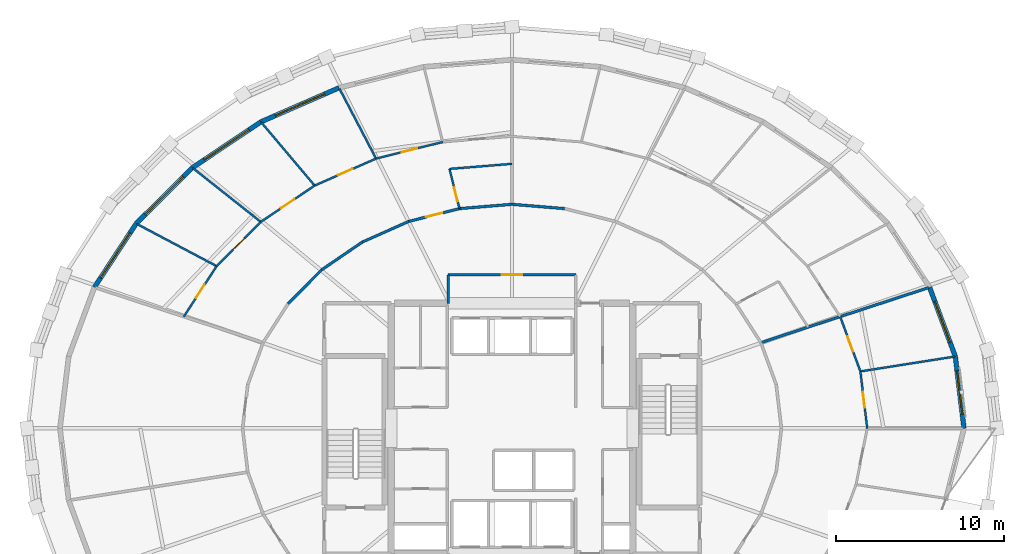
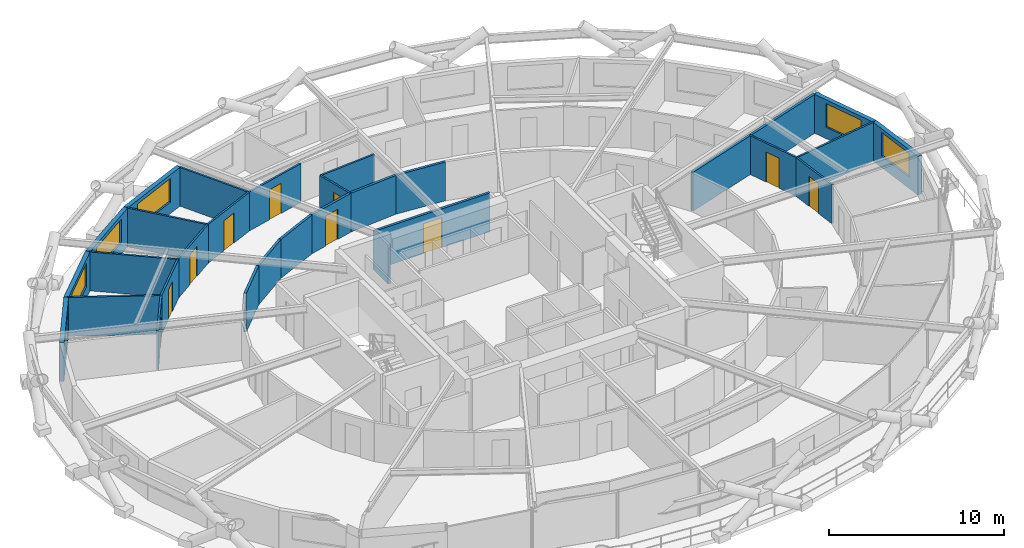
# One storey, part 18 of 23: 29 walls, 10 doors, 6 windows, 16 openings.
"""IFC4 building model written with IfcOpenShell, lengths in metres."""

from ifc_helpers import new_model, si_unit, direction, frame, frame_2d, origin, place, context, subcontext, project, spatial, rectangle, extrude, material, layer, layer_set, type_object, element, fill, save


model = new_model("IFC4")

# Units and contexts
model_context = context("Model", 3, precision=1e-05, world=origin(), true_north=direction((0.0, 1.0)))
body_context = subcontext(model_context, "Body", "Model", "MODEL_VIEW")
ifc_project = project(units=[si_unit("LENGTHUNIT", "METRE"), si_unit("AREAUNIT", "SQUARE_METRE"), si_unit("VOLUMEUNIT", "CUBIC_METRE"), si_unit("PLANEANGLEUNIT", "RADIAN"), si_unit("MASSUNIT", "GRAM", prefix="KILO")], contexts=[model_context])

# Site, building, storey
site_placement = place(None, origin())
site = spatial("IfcSite", under=ifc_project, at=site_placement, CompositionType="ELEMENT")
building_placement = place(site_placement, origin())
building = spatial("IfcBuilding", under=site, at=building_placement, Name="Veldorina Hangang Commons", CompositionType="ELEMENT")
storey_placement = place(building_placement, frame((0.0, 0.0, 95.199951171875)))
storey = spatial("IfcBuildingStorey", under=building, at=storey_placement, Name="L24", CompositionType="ELEMENT", Elevation=95.199951171875)

# Wall, opening, window
ifc_material_1 = material(Name="Stone Roman Travertine", Category="masonry")
ifc_layer_1 = layer(ifc_material_1, 0.280029296875)
ifc_layer_set_1 = layer_set([ifc_layer_1], Name="Stone Roman Travertine")
wall_type_1 = type_object("IfcWallType", Name="EW-TRAV-280", PredefinedType="STANDARD", material=ifc_layer_set_1)
wall_1_placement = place(storey_placement, frame((58.92919921875, 24.0, 0.0), z_axis=(0.0, 0.0, 1.0), x_axis=(-0.119925904923, 0.992782845001, 0.0)))
wall_1 = element("IfcWall", 1, at=wall_1_placement, inside=storey, type_object=wall_type_1, Name="L24 travertine facade wall 00", PredefinedType="STANDARD", context=body_context, shape_type="SweptSolid", body=[
    extrude(rectangle(XDim=4.31591796875, YDim=0.280029296875, at=frame_2d((2.157958984375, 0.0))), origin(), (0.0, 0.0, 1.0), 2.7099609375),
])
opening_1_placement = place(wall_1_placement, frame((0.85791015625, 0.0, 0.800048828125)))
opening_1 = element("IfcOpeningElement", 2, at=opening_1_placement, cuts=wall_1, Name="Opening W-02", PredefinedType="OPENING", context=body_context, shape_type="SweptSolid", body=[
    extrude(rectangle(XDim=2.60009765625, YDim=1.64990234375, at=frame_2d((1.300048828125, 0.824951171875))), frame((0.0, 0.14990234375, 0.0), z_axis=(0.0, -1.0, 0.0), x_axis=(1.0, 0.0, 0.0)), (0.0, 0.0, 1.0), 0.300048828125),
])
ifc_material_2 = material(Name="Glass Low-E Triple IGU", Category="glass")
window_type_1 = type_object("IfcWindowType", Name="WIN-TWR-2600", PartitioningType="SINGLE_PANEL", PredefinedType="WINDOW", material=ifc_material_2)
window_1_placement = place(opening_1_placement, origin())
window_1 = element("IfcWindow", 3, at=window_1_placement, inside=storey, type_object=window_type_1, Name="L24 facade window 00", OverallHeight=1.64990234375, OverallWidth=2.60009765625, PartitioningType="SINGLE_PANEL", PredefinedType="WINDOW", context=body_context, shape_type="SweptSolid", body=[
    extrude(rectangle(XDim=2.60009765625, YDim=1.64990234375, at=frame_2d((1.300048828125, 0.824951171875))), frame((0.0, 0.030029296875, 0.0), z_axis=(0.0, -1.0, 0.0), x_axis=(1.0, 0.0, 0.0)), (0.0, 0.0, 1.0), 0.06005859375),
])
fill(opening_1, window_1)

wall_2_placement = place(storey_placement, frame((58.41162109375, 28.28466796875, 0.0), z_axis=(0.0, 0.0, 1.0), x_axis=(-0.348632733014, 0.937259418449, 0.0)))
wall_2 = element("IfcWall", 4, at=wall_2_placement, inside=storey, type_object=wall_type_1, Name="L24 travertine facade wall 01", PredefinedType="STANDARD", context=body_context, shape_type="SweptSolid", body=[
    extrude(rectangle(XDim=4.395751953125, YDim=0.280029296875, at=frame_2d((2.19775390625, 0.0))), origin(), (0.0, 0.0, 1.0), 2.7099609375),
])
opening_2_placement = place(wall_2_placement, frame((0.897705078125, 0.0, 0.800048828125)))
opening_2 = element("IfcOpeningElement", 5, at=opening_2_placement, cuts=wall_2, Name="Opening W-02", PredefinedType="OPENING", context=body_context, shape_type="SweptSolid", body=[
    extrude(rectangle(XDim=2.60009765625, YDim=1.64990234375, at=frame_2d((1.300048828125, 0.824951171875))), frame((0.0, 0.14990234375, 0.0), z_axis=(0.0, -1.0, 0.0), x_axis=(1.0, 0.0, 0.0)), (0.0, 0.0, 1.0), 0.300048828125),
])
window_2_placement = place(opening_2_placement, origin())
window_2 = element("IfcWindow", 6, at=window_2_placement, inside=storey, type_object=window_type_1, Name="L24 facade window 01", OverallHeight=1.64990234375, OverallWidth=2.60009765625, PartitioningType="SINGLE_PANEL", PredefinedType="WINDOW", context=body_context, shape_type="SweptSolid", body=[
    extrude(rectangle(XDim=2.60009765625, YDim=1.64990234375, at=frame_2d((1.300048828125, 0.824951171875))), frame((0.0, 0.030029296875, 0.0), z_axis=(0.0, -1.0, 0.0), x_axis=(1.0, 0.0, 0.0)), (0.0, 0.0, 1.0), 0.06005859375),
])
fill(opening_2, window_2)

wall_3_placement = place(storey_placement, frame((21.694580078125, 44.29052734375, 0.0), z_axis=(0.0, 0.0, 1.0), x_axis=(-0.916680612936, -0.39962063744, 0.0)))
wall_3 = element("IfcWall", 7, at=wall_3_placement, inside=storey, type_object=wall_type_1, Name="L24 travertine facade wall 10", PredefinedType="STANDARD", context=body_context, shape_type="SweptSolid", body=[
    extrude(rectangle(XDim=5.07861328125, YDim=0.280029296875, at=frame_2d((2.539306640625, 0.0))), origin(), (0.0, 0.0, 1.0), 2.7099609375),
])
opening_3_placement = place(wall_3_placement, frame((0.939453125, 0.0, 0.800048828125)))
opening_3 = element("IfcOpeningElement", 8, at=opening_3_placement, cuts=wall_3, Name="Opening W-01", PredefinedType="OPENING", context=body_context, shape_type="SweptSolid", body=[
    extrude(rectangle(XDim=3.199951171875, YDim=1.64990234375, at=frame_2d((1.60009765625, 0.824951171875))), frame((0.0, 0.14990234375, 0.0), z_axis=(0.0, -1.0, 0.0), x_axis=(1.0, 0.0, 0.0)), (0.0, 0.0, 1.0), 0.300048828125),
])
window_type_2 = type_object("IfcWindowType", Name="WIN-TWR-3200", PartitioningType="SINGLE_PANEL", PredefinedType="WINDOW", material=ifc_material_2)
window_3_placement = place(opening_3_placement, origin())
window_3 = element("IfcWindow", 9, at=window_3_placement, inside=storey, type_object=window_type_2, Name="L24 facade window 10", OverallHeight=1.64990234375, OverallWidth=3.199951171875, PartitioningType="SINGLE_PANEL", PredefinedType="WINDOW", context=body_context, shape_type="SweptSolid", body=[
    extrude(rectangle(XDim=3.199951171875, YDim=1.64990234375, at=frame_2d((1.60009765625, 0.824951171875))), frame((0.0, 0.030029296875, 0.0), z_axis=(0.0, -1.0, 0.0), x_axis=(1.0, 0.0, 0.0)), (0.0, 0.0, 1.0), 0.06005859375),
])
fill(opening_3, window_3)

wall_4_placement = place(storey_placement, frame((17.0390625, 42.260986328125, 0.0), z_axis=(0.0, 0.0, 1.0), x_axis=(-0.831046915145, -0.556202323645, 0.0)))
wall_4 = element("IfcWall", 10, at=wall_4_placement, inside=storey, type_object=wall_type_1, Name="L24 travertine facade wall 11", PredefinedType="STANDARD", context=body_context, shape_type="SweptSolid", body=[
    extrude(rectangle(XDim=4.910400390625, YDim=0.280029296875, at=frame_2d((2.455078125, 0.0))), origin(), (0.0, 0.0, 1.0), 2.7099609375),
])
opening_4_placement = place(wall_4_placement, frame((0.855224609375, 0.0, 0.800048828125)))
opening_4 = element("IfcOpeningElement", 11, at=opening_4_placement, cuts=wall_4, Name="Opening W-01", PredefinedType="OPENING", context=body_context, shape_type="SweptSolid", body=[
    extrude(rectangle(XDim=3.199951171875, YDim=1.64990234375, at=frame_2d((1.60009765625, 0.824951171875))), frame((0.0, 0.14990234375, 0.0), z_axis=(0.0, -1.0, 0.0), x_axis=(1.0, 0.0, 0.0)), (0.0, 0.0, 1.0), 0.300048828125),
])
window_4_placement = place(opening_4_placement, origin())
window_4 = element("IfcWindow", 12, at=window_4_placement, inside=storey, type_object=window_type_2, Name="L24 facade window 11", OverallHeight=1.64990234375, OverallWidth=3.199951171875, PartitioningType="SINGLE_PANEL", PredefinedType="WINDOW", context=body_context, shape_type="SweptSolid", body=[
    extrude(rectangle(XDim=3.199951171875, YDim=1.64990234375, at=frame_2d((1.60009765625, 0.824951171875))), frame((0.0, 0.030029296875, 0.0), z_axis=(0.0, -1.0, 0.0), x_axis=(1.0, 0.0, 0.0)), (0.0, 0.0, 1.0), 0.06005859375),
])
fill(opening_4, window_4)

wall_5_placement = place(storey_placement, frame((12.958251953125, 39.52978515625, 0.0), z_axis=(0.0, 0.0, 1.0), x_axis=(-0.70930102543, -0.70490570669, 0.0)))
wall_5 = element("IfcWall", 13, at=wall_5_placement, inside=storey, type_object=wall_type_1, Name="L24 travertine facade wall 12", PredefinedType="STANDARD", context=body_context, shape_type="SweptSolid", body=[
    extrude(rectangle(XDim=4.721435546875, YDim=0.280029296875, at=frame_2d((2.36083984375, 0.0))), origin(), (0.0, 0.0, 1.0), 2.7099609375),
])
opening_5_placement = place(wall_5_placement, frame((0.7607421875, 0.0, 0.800048828125)))
opening_5 = element("IfcOpeningElement", 14, at=opening_5_placement, cuts=wall_5, Name="Opening W-01", PredefinedType="OPENING", context=body_context, shape_type="SweptSolid", body=[
    extrude(rectangle(XDim=3.199951171875, YDim=1.64990234375, at=frame_2d((1.60009765625, 0.824951171875))), frame((0.0, 0.14990234375, 0.0), z_axis=(0.0, -1.0, 0.0), x_axis=(1.0, 0.0, 0.0)), (0.0, 0.0, 1.0), 0.300048828125),
])
window_5_placement = place(opening_5_placement, origin())
window_5 = element("IfcWindow", 15, at=window_5_placement, inside=storey, type_object=window_type_2, Name="L24 facade window 12", OverallHeight=1.64990234375, OverallWidth=3.199951171875, PartitioningType="SINGLE_PANEL", PredefinedType="WINDOW", context=body_context, shape_type="SweptSolid", body=[
    extrude(rectangle(XDim=3.199951171875, YDim=1.64990234375, at=frame_2d((1.60009765625, 0.824951171875))), frame((0.0, 0.030029296875, 0.0), z_axis=(0.0, -1.0, 0.0), x_axis=(1.0, 0.0, 0.0)), (0.0, 0.0, 1.0), 0.06005859375),
])
fill(opening_5, window_5)

wall_6_placement = place(storey_placement, frame((9.609375, 36.20166015625, 0.0), z_axis=(0.0, 0.0, 1.0), x_axis=(-0.548143021063, -0.836384617541, 0.0)))
wall_6 = element("IfcWall", 16, at=wall_6_placement, inside=storey, type_object=wall_type_1, Name="L24 travertine facade wall 13", PredefinedType="STANDARD", context=body_context, shape_type="SweptSolid", body=[
    extrude(rectangle(XDim=4.5400390625, YDim=0.280029296875, at=frame_2d((2.27001953125, 0.0))), origin(), (0.0, 0.0, 1.0), 2.7099609375),
])
opening_6_placement = place(wall_6_placement, frame((0.669921875, 0.0, 0.800048828125)))
opening_6 = element("IfcOpeningElement", 17, at=opening_6_placement, cuts=wall_6, Name="Opening W-01", PredefinedType="OPENING", context=body_context, shape_type="SweptSolid", body=[
    extrude(rectangle(XDim=3.199951171875, YDim=1.64990234375, at=frame_2d((1.60009765625, 0.824951171875))), frame((0.0, 0.14990234375, 0.0), z_axis=(0.0, -1.0, 0.0), x_axis=(1.0, 0.0, 0.0)), (0.0, 0.0, 1.0), 0.300048828125),
])
window_6_placement = place(opening_6_placement, origin())
window_6 = element("IfcWindow", 18, at=window_6_placement, inside=storey, type_object=window_type_2, Name="L24 facade window 13", OverallHeight=1.64990234375, OverallWidth=3.199951171875, PartitioningType="SINGLE_PANEL", PredefinedType="WINDOW", context=body_context, shape_type="SweptSolid", body=[
    extrude(rectangle(XDim=3.199951171875, YDim=1.64990234375, at=frame_2d((1.60009765625, 0.824951171875))), frame((0.0, 0.030029296875, 0.0), z_axis=(0.0, -1.0, 0.0), x_axis=(1.0, 0.0, 0.0)), (0.0, 0.0, 1.0), 0.06005859375),
])
fill(opening_6, window_6)

# Wall
ifc_material_3 = material(Name="Gypsum Fire-Rated Twin Stud Wall", Category="gypsum")
ifc_layer_2 = layer(ifc_material_3, 0.159912109375)
ifc_layer_set_2 = layer_set([ifc_layer_2], Name="Gypsum Fire-Rated Twin Stud Wall")
wall_type_2 = type_object("IfcWallType", Name="WL-FIRE-160", PredefinedType="SOLIDWALL", material=ifc_layer_set_2)
wall_7_placement = place(storey_placement, frame((28.199951171875, 31.449951171875, 0.0), z_axis=(0.0, 0.0, 1.0), x_axis=(0.0, 1.0, 0.0)))
element("IfcWall", 19, at=wall_7_placement, inside=storey, type_object=wall_type_2, Name="L24 North lobby west wall 032", PredefinedType="SOLIDWALL", context=body_context, shape_type="SweptSolid", body=[
    extrude(rectangle(XDim=1.699951171875, YDim=0.159912109375, at=frame_2d((0.85009765625, 0.0))), origin(), (0.0, 0.0, 1.0), 2.7099609375),
])

# Wall, opening, door
wall_8_placement = place(storey_placement, frame((28.199951171875, 33.14990234375, 0.0), z_axis=(0.0, 0.0, 1.0), x_axis=(1.0, 0.0, 0.0)))
wall_8 = element("IfcWall", 20, at=wall_8_placement, inside=storey, type_object=wall_type_2, Name="L24 North lobby north wall 034", PredefinedType="SOLIDWALL", context=body_context, shape_type="SweptSolid", body=[
    extrude(rectangle(XDim=7.60009765625, YDim=0.159912109375, at=frame_2d((3.800048828125, 0.0))), origin(), (0.0, 0.0, 1.0), 2.7099609375),
])
opening_7_placement = place(wall_8_placement, frame((3.199951171875, 0.0, 0.0)))
opening_7 = element("IfcOpeningElement", 21, at=opening_7_placement, cuts=wall_8, Name="Opening D-09", PredefinedType="OPENING", context=body_context, shape_type="SweptSolid", body=[
    extrude(rectangle(XDim=1.199951171875, YDim=2.10009765625, at=frame_2d((0.60009765625, 1.050048828125))), frame((0.0, 0.08984375, 0.0), z_axis=(0.0, -1.0, 0.0), x_axis=(1.0, 0.0, 0.0)), (0.0, 0.0, 1.0), 0.179931640625),
])
ifc_material_4 = material(Name="Steel Fire-Rated Corridor Door", Category="steel")
door_type_1 = type_object("IfcDoorType", Name="DR-FIRE-1200", OperationType="SINGLE_SWING_LEFT", PredefinedType="DOOR", material=ifc_material_4)
door_1_placement = place(opening_7_placement, origin())
door_1 = element("IfcDoor", 22, at=door_1_placement, inside=storey, type_object=door_type_1, Name="L24 North lift lobby corridor door 012", OperationType="SINGLE_SWING_RIGHT", OverallHeight=2.10009765625, OverallWidth=1.199951171875, PredefinedType="DOOR", context=body_context, shape_type="SweptSolid", body=[
    extrude(rectangle(XDim=1.199951171875, YDim=2.10009765625, at=frame_2d((0.60009765625, 1.050048828125))), frame((0.0, 0.02490234375, 0.0), z_axis=(0.0, -1.0, 0.0), x_axis=(1.0, 0.0, 0.0)), (0.0, 0.0, 1.0), 0.050048828125),
])
fill(opening_7, door_1)

# Walls
for number, where, z_axis, x_axis, name in (
    (23, (35.131103515625, 37.093505859375, 0.0), (0.0, 0.0, 1.0), (-0.996658973252, 0.081675522876, 0.0), "L24 Corridor outer wall 07 055"),
    (24, (32.0, 37.35009765625, 0.0), (0.0, 0.0, 1.0), (-0.996658973252, -0.081675522876, 0.0), "L24 Corridor outer wall 08 056"),
):
    element("IfcWall", number, at=place(storey_placement, frame(where, z_axis=z_axis, x_axis=x_axis)), inside=storey, type_object=wall_type_2, Name=name, PredefinedType="SOLIDWALL", context=body_context, shape_type="SweptSolid", body=[
        extrude(rectangle(XDim=3.1416015625, YDim=0.159912109375, at=frame_2d((1.57080078125, 0.0))), origin(), (0.0, 0.0, 1.0), 2.7099609375),
    ])

# Wall, opening, door
wall_9_placement = place(storey_placement, frame((28.868896484375, 37.093505859375, 0.0), z_axis=(0.0, 0.0, 1.0), x_axis=(-0.969608333194, -0.244662380029, 0.0)))
wall_9 = element("IfcWall", 25, at=wall_9_placement, inside=storey, type_object=wall_type_2, Name="L24 Corridor outer wall 09 057", PredefinedType="SOLIDWALL", context=body_context, shape_type="SweptSolid", body=[
    extrude(rectangle(XDim=3.10546875, YDim=0.159912109375, at=frame_2d((1.552734375, 0.0))), origin(), (0.0, 0.0, 1.0), 2.7099609375),
])
opening_8_placement = place(wall_9_placement, frame((1.052734375, 0.0, 0.0)))
opening_8 = element("IfcOpeningElement", 26, at=opening_8_placement, cuts=wall_9, Name="Opening D-06", PredefinedType="OPENING", context=body_context, shape_type="SweptSolid", body=[
    extrude(rectangle(XDim=1.0, YDim=2.10009765625, at=frame_2d((0.5, 1.050048828125))), frame((0.0, 0.08984375, 0.0), z_axis=(0.0, -1.0, 0.0), x_axis=(1.0, 0.0, 0.0)), (0.0, 0.0, 1.0), 0.179931640625),
])
ifc_material_5 = material(Name="Timber Fire-Rated Entrance Core", Category="wood")
door_type_2 = type_object("IfcDoorType", Name="DR-UNIT-1000", OperationType="SINGLE_SWING_LEFT", PredefinedType="DOOR", material=ifc_material_5)
door_2_placement = place(opening_8_placement, origin())
door_2 = element("IfcDoor", 27, at=door_2_placement, inside=storey, type_object=door_type_2, Name="L24 Cluster 4 entrance door 039", OperationType="SINGLE_SWING_LEFT", OverallHeight=2.10009765625, OverallWidth=1.0, PredefinedType="DOOR", context=body_context, shape_type="SweptSolid", body=[
    extrude(rectangle(XDim=1.0, YDim=2.10009765625, at=frame_2d((0.5, 1.050048828125))), frame((0.0, 0.02490234375, 0.0), z_axis=(0.0, -1.0, 0.0), x_axis=(1.0, 0.0, 0.0)), (0.0, 0.0, 1.0), 0.050048828125),
])
fill(opening_8, door_2)

# Walls
wall_10_placement = place(storey_placement, frame((25.85791015625, 36.333740234375, 0.0), z_axis=(0.0, 0.0, 1.0), x_axis=(-0.913768445178, -0.406235434936, 0.0)))
element("IfcWall", 28, at=wall_10_placement, inside=storey, type_object=wall_type_2, Name="L24 Corridor outer wall 10 058", PredefinedType="SOLIDWALL", context=body_context, shape_type="SweptSolid", body=[
    extrude(rectangle(XDim=3.036865234375, YDim=0.159912109375, at=frame_2d((1.5185546875, 0.0))), origin(), (0.0, 0.0, 1.0), 2.7099609375),
])
wall_11_placement = place(storey_placement, frame((23.0830078125, 35.10009765625, 0.0), z_axis=(0.0, 0.0, 1.0), x_axis=(-0.825929039072, -0.563774088104, 0.0)))
element("IfcWall", 29, at=wall_11_placement, inside=storey, type_object=wall_type_2, Name="L24 Corridor outer wall 11 059", PredefinedType="SOLIDWALL", context=body_context, shape_type="SweptSolid", body=[
    extrude(rectangle(XDim=2.94482421875, YDim=0.159912109375, at=frame_2d((1.472412109375, 0.0))), origin(), (0.0, 0.0, 1.0), 2.7099609375),
])
wall_12_placement = place(storey_placement, frame((20.65087890625, 33.43994140625, 0.0), z_axis=(0.0, 0.0, 1.0), x_axis=(-0.702366174226, -0.711815816981, 0.0)))
element("IfcWall", 30, at=wall_12_placement, inside=storey, type_object=wall_type_2, Name="L24 Corridor outer wall 12 060", PredefinedType="SOLIDWALL", context=body_context, shape_type="SweptSolid", body=[
    extrude(rectangle(XDim=2.842041015625, YDim=0.159912109375, at=frame_2d((1.4208984375, 0.0))), origin(), (0.0, 0.0, 1.0), 2.7099609375),
])
wall_13_placement = place(storey_placement, frame((46.828369140625, 29.10888671875, 0.0), z_axis=(0.0, 0.0, 1.0), x_axis=(0.950223350547, 0.311569549339, 0.0)))
element("IfcWall", 31, at=wall_13_placement, inside=storey, type_object=wall_type_2, Name="L24 Unit party wall 02 099", PredefinedType="SOLIDWALL", context=body_context, shape_type="SweptSolid", body=[
    extrude(rectangle(XDim=10.52734375, YDim=0.159912109375, at=frame_2d((5.263671875, 0.0))), origin(), (0.0, 0.0, 1.0), 2.7099609375),
])

# Wall, opening, door
ifc_material_6 = material(Name="Gypsum Acoustic Stud Partition", Category="gypsum")
ifc_layer_3 = layer(ifc_material_6, 0.1201171875)
ifc_layer_set_3 = layer_set([ifc_layer_3], Name="Gypsum Acoustic Stud Partition")
wall_type_3 = type_object("IfcWallType", Name="WL-PART-120", PredefinedType="PARTITIONING", material=ifc_layer_set_3)
wall_14_placement = place(storey_placement, frame((53.1630859375, 24.0, 0.0), z_axis=(0.0, 0.0, 1.0), x_axis=(-0.118908663781, 0.992905196722, 0.0)))
wall_14 = element("IfcWall", 32, at=wall_14_placement, inside=storey, type_object=wall_type_3, Name="L24 Cluster 2 bed 5 front wall 095", PredefinedType="PARTITIONING", context=body_context, shape_type="SweptSolid", body=[
    extrude(rectangle(XDim=3.41845703125, YDim=0.1201171875, at=frame_2d((1.709228515625, 0.0))), origin(), (0.0, 0.0, 1.0), 2.7099609375),
])
opening_9_placement = place(wall_14_placement, frame((1.234130859375, 0.0, 0.0)))
opening_9 = element("IfcOpeningElement", 33, at=opening_9_placement, cuts=wall_14, Name="Opening D-02", PredefinedType="OPENING", context=body_context, shape_type="SweptSolid", body=[
    extrude(rectangle(XDim=0.949951171875, YDim=2.10009765625, at=frame_2d((0.47509765625, 1.050048828125))), frame((0.0, 0.070068359375, 0.0), z_axis=(0.0, -1.0, 0.0), x_axis=(1.0, 0.0, 0.0)), (0.0, 0.0, 1.0), 0.14013671875),
])
ifc_material_7 = material(Name="Timber Solid Core Acoustic", Category="wood")
door_type_3 = type_object("IfcDoorType", Name="DR-INT-950", OperationType="SINGLE_SWING_LEFT", PredefinedType="DOOR", material=ifc_material_7)
door_3_placement = place(opening_9_placement, origin())
door_3 = element("IfcDoor", 34, at=door_3_placement, inside=storey, type_object=door_type_3, Name="L24 Cluster 2 bed 5 door 028", OperationType="SINGLE_SWING_RIGHT", OverallHeight=2.10009765625, OverallWidth=0.949951171875, PredefinedType="DOOR", context=body_context, shape_type="SweptSolid", body=[
    extrude(rectangle(XDim=0.949951171875, YDim=2.10009765625, at=frame_2d((0.47509765625, 1.050048828125))), frame((0.0, 0.02490234375, 0.0), z_axis=(0.0, -1.0, 0.0), x_axis=(1.0, 0.0, 0.0)), (0.0, 0.0, 1.0), 0.050048828125),
])
fill(opening_9, door_3)

wall_15_placement = place(storey_placement, frame((52.756591796875, 27.394287109375, 0.0), z_axis=(0.0, 0.0, 1.0), x_axis=(-0.346219193067, 0.93815364965, 0.0)))
wall_15 = element("IfcWall", 35, at=wall_15_placement, inside=storey, type_object=wall_type_3, Name="L24 Cluster 2 bed 6 front wall 097", PredefinedType="PARTITIONING", context=body_context, shape_type="SweptSolid", body=[
    extrude(rectangle(XDim=3.478515625, YDim=0.1201171875, at=frame_2d((1.7392578125, 0.0))), origin(), (0.0, 0.0, 1.0), 2.7099609375),
])
opening_10_placement = place(wall_15_placement, frame((1.264404296875, 0.0, 0.0)))
opening_10 = element("IfcOpeningElement", 36, at=opening_10_placement, cuts=wall_15, Name="Opening D-02", PredefinedType="OPENING", context=body_context, shape_type="SweptSolid", body=[
    extrude(rectangle(XDim=0.949951171875, YDim=2.10009765625, at=frame_2d((0.47509765625, 1.050048828125))), frame((0.0, 0.070068359375, 0.0), z_axis=(0.0, -1.0, 0.0), x_axis=(1.0, 0.0, 0.0)), (0.0, 0.0, 1.0), 0.14013671875),
])
door_4_placement = place(opening_10_placement, origin())
door_4 = element("IfcDoor", 37, at=door_4_placement, inside=storey, type_object=door_type_3, Name="L24 Cluster 2 bed 6 door 029", OperationType="SINGLE_SWING_LEFT", OverallHeight=2.10009765625, OverallWidth=0.949951171875, PredefinedType="DOOR", context=body_context, shape_type="SweptSolid", body=[
    extrude(rectangle(XDim=0.949951171875, YDim=2.10009765625, at=frame_2d((0.47509765625, 1.050048828125))), frame((0.0, 0.02490234375, 0.0), z_axis=(0.0, -1.0, 0.0), x_axis=(1.0, 0.0, 0.0)), (0.0, 0.0, 1.0), 0.050048828125),
])
fill(opening_10, door_4)

# Walls
wall_16_placement = place(storey_placement, frame((52.756591796875, 27.394287109375, 0.0), z_axis=(0.0, 0.0, 1.0), x_axis=(0.987831936488, 0.155525127407, 0.0)))
element("IfcWall", 38, at=wall_16_placement, inside=storey, type_object=wall_type_3, Name="L24 Cluster 2 bed divider 5 098", PredefinedType="PARTITIONING", context=body_context, shape_type="SweptSolid", body=[
    extrude(rectangle(XDim=5.6748046875, YDim=0.1201171875, at=frame_2d((2.83740234375, 0.0))), origin(), (0.0, 0.0, 1.0), 2.7099609375),
])
wall_17_placement = place(storey_placement, frame((32.0, 39.761474609375, 0.0), z_axis=(0.0, 0.0, 1.0), x_axis=(-0.996709538361, -0.081056129561, 0.0)))
element("IfcWall", 39, at=wall_17_placement, inside=storey, type_object=wall_type_3, Name="L24 Cluster 4 bath front wall 114", PredefinedType="PARTITIONING", context=body_context, shape_type="SweptSolid", body=[
    extrude(rectangle(XDim=3.73779296875, YDim=0.1201171875, at=frame_2d((1.868896484375, 0.0))), origin(), (0.0, 0.0, 1.0), 2.7099609375),
])

# Wall, opening, door
wall_18_placement = place(storey_placement, frame((28.868896484375, 37.093505859375, 0.0), z_axis=(0.0, 0.0, 1.0), x_axis=(-0.243783937168, 0.969829568522, 0.0)))
wall_18 = element("IfcWall", 40, at=wall_18_placement, inside=storey, type_object=wall_type_3, Name="L24 Cluster 4 bath side wall 115", PredefinedType="PARTITIONING", context=body_context, shape_type="SweptSolid", body=[
    extrude(rectangle(XDim=2.4384765625, YDim=0.1201171875, at=frame_2d((1.21923828125, 0.0))), origin(), (0.0, 0.0, 1.0), 2.7099609375),
])
opening_11_placement = place(wall_18_placement, frame((0.43994140625, 0.0, 0.0)))
opening_11 = element("IfcOpeningElement", 41, at=opening_11_placement, cuts=wall_18, Name="Opening D-01", PredefinedType="OPENING", context=body_context, shape_type="SweptSolid", body=[
    extrude(rectangle(XDim=0.860107421875, YDim=2.10009765625, at=frame_2d((0.43017578125, 1.050048828125))), frame((0.0, 0.070068359375, 0.0), z_axis=(0.0, -1.0, 0.0), x_axis=(1.0, 0.0, 0.0)), (0.0, 0.0, 1.0), 0.14013671875),
])
ifc_material_8 = material(Name="Timber Moisture-Resistant Core", Category="wood")
door_type_4 = type_object("IfcDoorType", Name="DR-WET-860", OperationType="SINGLE_SWING_LEFT", PredefinedType="DOOR", material=ifc_material_8)
door_5_placement = place(opening_11_placement, origin())
door_5 = element("IfcDoor", 42, at=door_5_placement, inside=storey, type_object=door_type_4, Name="L24 Cluster 4 shared bathroom door 038", OperationType="SINGLE_SWING_RIGHT", OverallHeight=2.10009765625, OverallWidth=0.860107421875, PredefinedType="DOOR", context=body_context, shape_type="SweptSolid", body=[
    extrude(rectangle(XDim=0.860107421875, YDim=2.10009765625, at=frame_2d((0.43017578125, 1.050048828125))), frame((0.0, 0.02490234375, 0.0), z_axis=(0.0, -1.0, 0.0), x_axis=(1.0, 0.0, 0.0)), (0.0, 0.0, 1.0), 0.050048828125),
])
fill(opening_11, door_5)

wall_19_placement = place(storey_placement, frame((27.871337890625, 41.0634765625, 0.0), z_axis=(0.0, 0.0, 1.0), x_axis=(-0.970289731263, -0.241945939016, 0.0)))
wall_19 = element("IfcWall", 43, at=wall_19_placement, inside=storey, type_object=wall_type_3, Name="L24 Cluster 4 bed 2 front wall 117", PredefinedType="PARTITIONING", context=body_context, shape_type="SweptSolid", body=[
    extrude(rectangle(XDim=4.091796875, YDim=0.1201171875, at=frame_2d((2.0458984375, 0.0))), origin(), (0.0, 0.0, 1.0), 2.7099609375),
])
opening_12_placement = place(wall_19_placement, frame((1.57080078125, 0.0, 0.0)))
opening_12 = element("IfcOpeningElement", 44, at=opening_12_placement, cuts=wall_19, Name="Opening D-02", PredefinedType="OPENING", context=body_context, shape_type="SweptSolid", body=[
    extrude(rectangle(XDim=0.949951171875, YDim=2.10009765625, at=frame_2d((0.47509765625, 1.050048828125))), frame((0.0, 0.070068359375, 0.0), z_axis=(0.0, -1.0, 0.0), x_axis=(1.0, 0.0, 0.0)), (0.0, 0.0, 1.0), 0.14013671875),
])
door_6_placement = place(opening_12_placement, origin())
door_6 = element("IfcDoor", 45, at=door_6_placement, inside=storey, type_object=door_type_3, Name="L24 Cluster 4 bed 2 door 041", OperationType="SINGLE_SWING_LEFT", OverallHeight=2.10009765625, OverallWidth=0.949951171875, PredefinedType="DOOR", context=body_context, shape_type="SweptSolid", body=[
    extrude(rectangle(XDim=0.949951171875, YDim=2.10009765625, at=frame_2d((0.47509765625, 1.050048828125))), frame((0.0, 0.02490234375, 0.0), z_axis=(0.0, -1.0, 0.0), x_axis=(1.0, 0.0, 0.0)), (0.0, 0.0, 1.0), 0.050048828125),
])
fill(opening_12, door_6)

wall_20_placement = place(storey_placement, frame((23.901123046875, 40.073486328125, 0.0), z_axis=(0.0, 0.0, 1.0), x_axis=(-0.91551399957, -0.40228611285, 0.0)))
wall_20 = element("IfcWall", 46, at=wall_20_placement, inside=storey, type_object=wall_type_3, Name="L24 Cluster 4 bed 3 front wall 119", PredefinedType="PARTITIONING", context=body_context, shape_type="SweptSolid", body=[
    extrude(rectangle(XDim=3.996337890625, YDim=0.1201171875, at=frame_2d((1.998046875, 0.0))), origin(), (0.0, 0.0, 1.0), 2.7099609375),
])
opening_13_placement = place(wall_20_placement, frame((1.523193359375, 0.0, 0.0)))
opening_13 = element("IfcOpeningElement", 47, at=opening_13_placement, cuts=wall_20, Name="Opening D-02", PredefinedType="OPENING", context=body_context, shape_type="SweptSolid", body=[
    extrude(rectangle(XDim=0.949951171875, YDim=2.10009765625, at=frame_2d((0.47509765625, 1.050048828125))), frame((0.0, 0.070068359375, 0.0), z_axis=(0.0, -1.0, 0.0), x_axis=(1.0, 0.0, 0.0)), (0.0, 0.0, 1.0), 0.14013671875),
])
door_7_placement = place(opening_13_placement, origin())
door_7 = element("IfcDoor", 48, at=door_7_placement, inside=storey, type_object=door_type_3, Name="L24 Cluster 4 bed 3 door 042", OperationType="SINGLE_SWING_RIGHT", OverallHeight=2.10009765625, OverallWidth=0.949951171875, PredefinedType="DOOR", context=body_context, shape_type="SweptSolid", body=[
    extrude(rectangle(XDim=0.949951171875, YDim=2.10009765625, at=frame_2d((0.47509765625, 1.050048828125))), frame((0.0, 0.02490234375, 0.0), z_axis=(0.0, -1.0, 0.0), x_axis=(1.0, 0.0, 0.0)), (0.0, 0.0, 1.0), 0.050048828125),
])
fill(opening_13, door_7)

# Wall
wall_21_placement = place(storey_placement, frame((23.901123046875, 40.073486328125, 0.0), z_axis=(0.0, 0.0, 1.0), x_axis=(-0.463561399352, 0.886064799567, 0.0)))
element("IfcWall", 49, at=wall_21_placement, inside=storey, type_object=wall_type_3, Name="L24 Cluster 4 bed divider 2 120", PredefinedType="PARTITIONING", context=body_context, shape_type="SweptSolid", body=[
    extrude(rectangle(XDim=4.70947265625, YDim=0.1201171875, at=frame_2d((2.354736328125, 0.0))), origin(), (0.0, 0.0, 1.0), 2.7099609375),
])

# Wall, opening, door
wall_22_placement = place(storey_placement, frame((20.242431640625, 38.4658203125, 0.0), z_axis=(0.0, 0.0, 1.0), x_axis=(-0.828989117178, -0.559264734808, 0.0)))
wall_22 = element("IfcWall", 50, at=wall_22_placement, inside=storey, type_object=wall_type_3, Name="L24 Cluster 4 bed 4 front wall 121", PredefinedType="PARTITIONING", context=body_context, shape_type="SweptSolid", body=[
    extrude(rectangle(XDim=3.86865234375, YDim=0.1201171875, at=frame_2d((1.934326171875, 0.0))), origin(), (0.0, 0.0, 1.0), 2.7099609375),
])
opening_14_placement = place(wall_22_placement, frame((1.459228515625, 0.0, 0.0)))
opening_14 = element("IfcOpeningElement", 51, at=opening_14_placement, cuts=wall_22, Name="Opening D-02", PredefinedType="OPENING", context=body_context, shape_type="SweptSolid", body=[
    extrude(rectangle(XDim=0.949951171875, YDim=2.10009765625, at=frame_2d((0.47509765625, 1.050048828125))), frame((0.0, 0.070068359375, 0.0), z_axis=(0.0, -1.0, 0.0), x_axis=(1.0, 0.0, 0.0)), (0.0, 0.0, 1.0), 0.14013671875),
])
door_8_placement = place(opening_14_placement, origin())
door_8 = element("IfcDoor", 52, at=door_8_placement, inside=storey, type_object=door_type_3, Name="L24 Cluster 4 bed 4 door 043", OperationType="SINGLE_SWING_LEFT", OverallHeight=2.10009765625, OverallWidth=0.949951171875, PredefinedType="DOOR", context=body_context, shape_type="SweptSolid", body=[
    extrude(rectangle(XDim=0.949951171875, YDim=2.10009765625, at=frame_2d((0.47509765625, 1.050048828125))), frame((0.0, 0.02490234375, 0.0), z_axis=(0.0, -1.0, 0.0), x_axis=(1.0, 0.0, 0.0)), (0.0, 0.0, 1.0), 0.050048828125),
])
fill(opening_14, door_8)

# Wall
wall_23_placement = place(storey_placement, frame((20.242431640625, 38.4658203125, 0.0), z_axis=(0.0, 0.0, 1.0), x_axis=(-0.64500236789, 0.764180571211, 0.0)))
element("IfcWall", 53, at=wall_23_placement, inside=storey, type_object=wall_type_3, Name="L24 Cluster 4 bed divider 3 122", PredefinedType="PARTITIONING", context=body_context, shape_type="SweptSolid", body=[
    extrude(rectangle(XDim=4.91650390625, YDim=0.1201171875, at=frame_2d((2.458251953125, 0.0))), origin(), (0.0, 0.0, 1.0), 2.7099609375),
])

# Wall, opening, door
wall_24_placement = place(storey_placement, frame((17.035400390625, 36.30224609375, 0.0), z_axis=(0.0, 0.0, 1.0), x_axis=(-0.706483909955, -0.70772910423, 0.0)))
wall_24 = element("IfcWall", 54, at=wall_24_placement, inside=storey, type_object=wall_type_3, Name="L24 Cluster 4 bed 5 front wall 123", PredefinedType="PARTITIONING", context=body_context, shape_type="SweptSolid", body=[
    extrude(rectangle(XDim=3.725341796875, YDim=0.1201171875, at=frame_2d((1.86279296875, 0.0))), origin(), (0.0, 0.0, 1.0), 2.7099609375),
])
opening_15_placement = place(wall_24_placement, frame((1.3876953125, 0.0, 0.0)))
opening_15 = element("IfcOpeningElement", 55, at=opening_15_placement, cuts=wall_24, Name="Opening D-02", PredefinedType="OPENING", context=body_context, shape_type="SweptSolid", body=[
    extrude(rectangle(XDim=0.949951171875, YDim=2.10009765625, at=frame_2d((0.47509765625, 1.050048828125))), frame((0.0, 0.070068359375, 0.0), z_axis=(0.0, -1.0, 0.0), x_axis=(1.0, 0.0, 0.0)), (0.0, 0.0, 1.0), 0.14013671875),
])
door_9_placement = place(opening_15_placement, origin())
door_9 = element("IfcDoor", 56, at=door_9_placement, inside=storey, type_object=door_type_3, Name="L24 Cluster 4 bed 5 door 044", OperationType="SINGLE_SWING_RIGHT", OverallHeight=2.10009765625, OverallWidth=0.949951171875, PredefinedType="DOOR", context=body_context, shape_type="SweptSolid", body=[
    extrude(rectangle(XDim=0.949951171875, YDim=2.10009765625, at=frame_2d((0.47509765625, 1.050048828125))), frame((0.0, 0.02490234375, 0.0), z_axis=(0.0, -1.0, 0.0), x_axis=(1.0, 0.0, 0.0)), (0.0, 0.0, 1.0), 0.050048828125),
])
fill(opening_15, door_9)

# Wall
wall_25_placement = place(storey_placement, frame((17.035400390625, 36.30224609375, 0.0), z_axis=(0.0, 0.0, 1.0), x_axis=(-0.784054475927, 0.620692016042, 0.0)))
element("IfcWall", 57, at=wall_25_placement, inside=storey, type_object=wall_type_3, Name="L24 Cluster 4 bed divider 4 124", PredefinedType="PARTITIONING", context=body_context, shape_type="SweptSolid", body=[
    extrude(rectangle(XDim=5.14990234375, YDim=0.1201171875, at=frame_2d((2.574951171875, 0.0))), origin(), (0.0, 0.0, 1.0), 2.7099609375),
])

# Wall, opening, door
wall_26_placement = place(storey_placement, frame((14.403564453125, 33.665771484375, 0.0), z_axis=(0.0, 0.0, 1.0), x_axis=(-0.545100755876, -0.838370542149, 0.0)))
wall_26 = element("IfcWall", 58, at=wall_26_placement, inside=storey, type_object=wall_type_3, Name="L24 Cluster 4 bed 6 front wall 125", PredefinedType="PARTITIONING", context=body_context, shape_type="SweptSolid", body=[
    extrude(rectangle(XDim=3.587890625, YDim=0.1201171875, at=frame_2d((1.7939453125, 0.0))), origin(), (0.0, 0.0, 1.0), 2.7099609375),
])
opening_16_placement = place(wall_26_placement, frame((1.319091796875, 0.0, 0.0)))
opening_16 = element("IfcOpeningElement", 59, at=opening_16_placement, cuts=wall_26, Name="Opening D-02", PredefinedType="OPENING", context=body_context, shape_type="SweptSolid", body=[
    extrude(rectangle(XDim=0.949951171875, YDim=2.10009765625, at=frame_2d((0.47509765625, 1.050048828125))), frame((0.0, 0.070068359375, 0.0), z_axis=(0.0, -1.0, 0.0), x_axis=(1.0, 0.0, 0.0)), (0.0, 0.0, 1.0), 0.14013671875),
])
door_10_placement = place(opening_16_placement, origin())
door_10 = element("IfcDoor", 60, at=door_10_placement, inside=storey, type_object=door_type_3, Name="L24 Cluster 4 bed 6 door 045", OperationType="SINGLE_SWING_LEFT", OverallHeight=2.10009765625, OverallWidth=0.949951171875, PredefinedType="DOOR", context=body_context, shape_type="SweptSolid", body=[
    extrude(rectangle(XDim=0.949951171875, YDim=2.10009765625, at=frame_2d((0.47509765625, 1.050048828125))), frame((0.0, 0.02490234375, 0.0), z_axis=(0.0, -1.0, 0.0), x_axis=(1.0, 0.0, 0.0)), (0.0, 0.0, 1.0), 0.050048828125),
])
fill(opening_16, door_10)

# Wall
wall_27_placement = place(storey_placement, frame((14.403564453125, 33.665771484375, 0.0), z_axis=(0.0, 0.0, 1.0), x_axis=(-0.883961363843, 0.467559950417, 0.0)))
element("IfcWall", 61, at=wall_27_placement, inside=storey, type_object=wall_type_3, Name="L24 Cluster 4 bed divider 5 126", PredefinedType="PARTITIONING", context=body_context, shape_type="SweptSolid", body=[
    extrude(rectangle(XDim=5.37353515625, YDim=0.1201171875, at=frame_2d((2.686767578125, 0.0))), origin(), (0.0, 0.0, 1.0), 2.7099609375),
])

save(model, "model.ifc")
